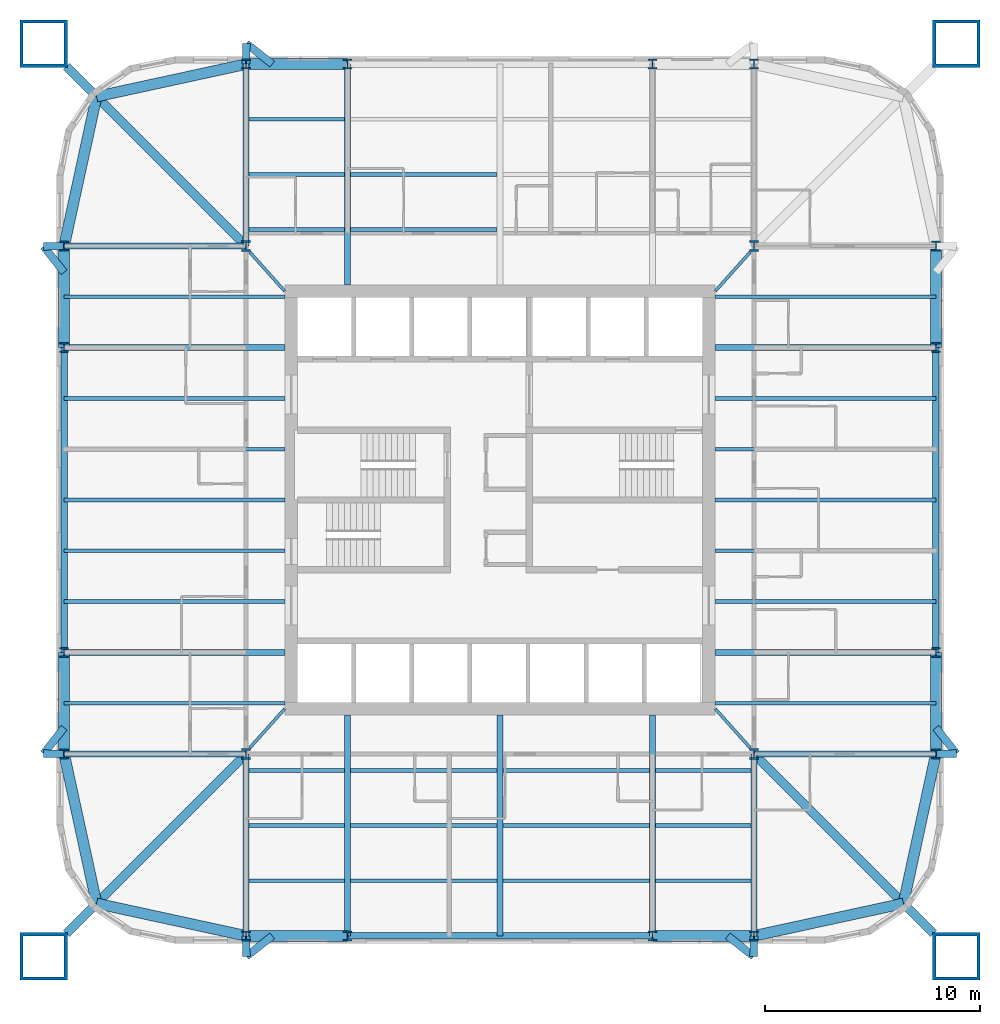
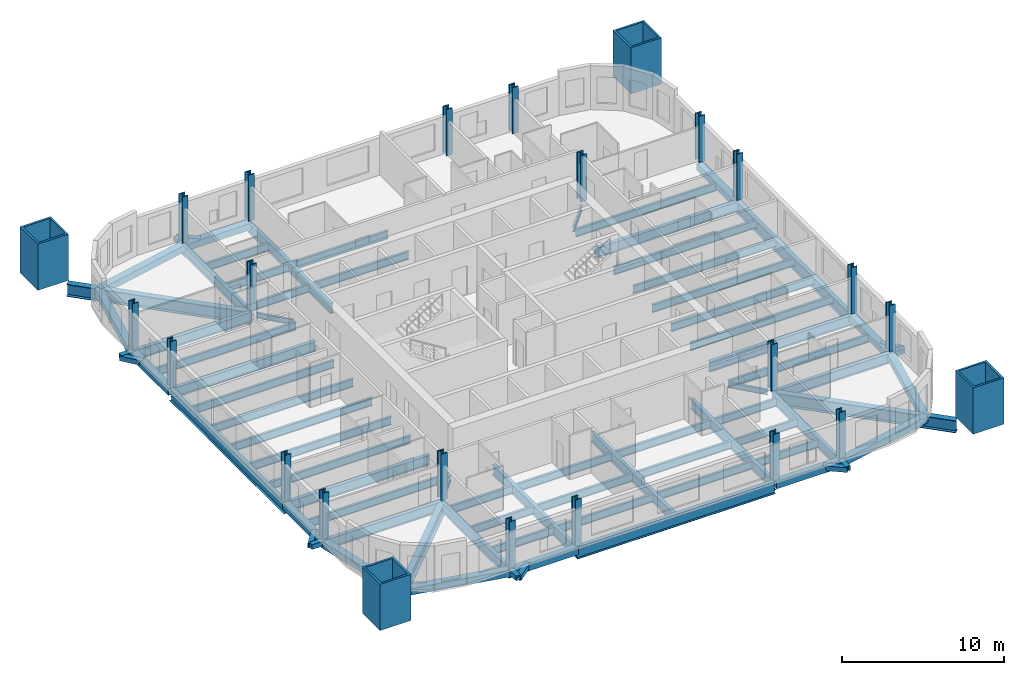
# One storey, part 1 of 9: 80 beams, 24 columns.
"""IFC4 building model written with IfcOpenShell, lengths in metres."""

from ifc_helpers import new_model, si_unit, direction, frame, origin, origin_2d, place, context, subcontext, project, spatial, hollow_rectangle, i_section, extrude, material, material_profile, profile_set, type_object, element, save


model = new_model("IFC4")

# Units and contexts
model_context = context("Model", 3, precision=1e-05, world=origin(), true_north=direction((0.0, 1.0)))
body_context = subcontext(model_context, "Body", "Model", "MODEL_VIEW")
ifc_project = project(units=[si_unit("LENGTHUNIT", "METRE"), si_unit("AREAUNIT", "SQUARE_METRE"), si_unit("VOLUMEUNIT", "CUBIC_METRE"), si_unit("PLANEANGLEUNIT", "RADIAN"), si_unit("MASSUNIT", "GRAM", prefix="KILO")], contexts=[model_context])

# Site, building, storey
site_placement = place(None, origin())
site = spatial("IfcSite", under=ifc_project, at=site_placement, CompositionType="ELEMENT")
building_placement = place(site_placement, origin())
building = spatial("IfcBuilding", under=site, at=building_placement, Name="Turquesa Mirador Hotel Tower", CompositionType="ELEMENT")
storey_placement = place(building_placement, frame((0.0, 0.0, 107.39990234375)))
storey = spatial("IfcBuildingStorey", under=building, at=storey_placement, Name="L28", CompositionType="ELEMENT", Elevation=107.39990234375)

# Columns
ifc_material_1 = material(Name="Steel ASTM A992 Grade 50", Category="steel")
ifc_material_profile_1 = material_profile(ifc_material_1, i_section(OverallWidth=0.421630859375, OverallDepth=0.46484375, WebThickness=0.044921875, FlangeThickness=0.072509765625, at=origin_2d()), Name="W14X398")
ifc_profile_set_1 = profile_set([ifc_material_profile_1], Name="Steel ASTM A992 Grade 50")
column_type_1 = type_object("IfcColumnType", Name="COLUMN W14X398", PredefinedType="COLUMN", material=ifc_profile_set_1)
for number, where, z_axis, x_axis, name in (
    (1, (34.75, 33.199951171875, 0.0), (0.0, 0.0, 1.0), (1.0, 0.0, 0.0), "COL-L28-P--20.25--11.80"),
    (2, (34.75, 37.919921875, 0.0), (0.0, 0.0, 1.0), (1.0, 0.0, 0.0), "COL-L28-P--20.25--7.08"),
    (3, (34.75, 52.080078125, 0.0), (0.0, 0.0, 1.0), (1.0, 0.0, 0.0), "COL-L28-P--20.25-+7.08"),
    (4, (34.75, 56.800048828125, 0.0), (0.0, 0.0, 1.0), (1.0, 0.0, 0.0), "COL-L28-P--20.25-+11.80"),
    (5, (43.199951171875, 24.75, 0.0), (0.0, 0.0, 1.0), (1.0, 0.0, 0.0), "COL-L28-P--11.80--20.25"),
    (6, (43.199951171875, 65.25, 0.0), (0.0, 0.0, 1.0), (1.0, 0.0, 0.0), "COL-L28-P--11.80-+20.25"),
    (7, (47.919921875, 24.75, 0.0), (0.0, 0.0, 1.0), (1.0, 0.0, 0.0), "COL-L28-P--7.08--20.25"),
    (8, (47.919921875, 65.25, 0.0), (0.0, 0.0, 1.0), (1.0, 0.0, 0.0), "COL-L28-P--7.08-+20.25"),
    (9, (62.080078125, 24.75, 0.0), (0.0, 0.0, 1.0), (1.0, 0.0, 0.0), "COL-L28-P-+7.08--20.25"),
    (10, (62.080078125, 65.25, 0.0), (0.0, 0.0, 1.0), (1.0, 0.0, 0.0), "COL-L28-P-+7.08-+20.25"),
    (11, (66.800048828125, 24.75, 0.0), (0.0, 0.0, 1.0), (1.0, 0.0, 0.0), "COL-L28-P-+11.80--20.25"),
    (12, (66.800048828125, 65.25, 0.0), (0.0, 0.0, 1.0), (1.0, 0.0, 0.0), "COL-L28-P-+11.80-+20.25"),
    (13, (75.25, 33.199951171875, 0.0), (0.0, 0.0, 1.0), (1.0, 0.0, 0.0), "COL-L28-P-+20.25--11.80"),
    (14, (75.25, 37.919921875, 0.0), (0.0, 0.0, 1.0), (1.0, 0.0, 0.0), "COL-L28-P-+20.25--7.08"),
    (15, (75.25, 52.080078125, 0.0), (0.0, 0.0, 1.0), (1.0, 0.0, 0.0), "COL-L28-P-+20.25-+7.08"),
    (16, (75.25, 56.800048828125, 0.0), (0.0, 0.0, 1.0), (1.0, 0.0, 0.0), "COL-L28-P-+20.25-+11.80"),
):
    element("IfcColumn", number, at=place(storey_placement, frame(where, z_axis=z_axis, x_axis=x_axis)), inside=storey, type_object=column_type_1, Name=name, PredefinedType="COLUMN", context=body_context, shape_type="SweptSolid", body=[
        extrude(i_section(OverallWidth=0.421630859375, OverallDepth=0.46484375, WebThickness=0.044921875, FlangeThickness=0.072509765625, at=origin_2d()), origin(), (0.0, 0.0, 1.0), 3.5),
    ])
ifc_material_2 = material(Name="Steel ASTM A992 Grade 50", Category="steel")
ifc_material_profile_2 = material_profile(ifc_material_2, i_section(OverallWidth=0.431884765625, OverallDepth=0.497802734375, WebThickness=0.0556640625, FlangeThickness=0.0888671875, at=origin_2d()), Name="W14X500")
ifc_profile_set_2 = profile_set([ifc_material_profile_2], Name="Steel ASTM A992 Grade 50")
column_type_2 = type_object("IfcColumnType", Name="COLUMN W14X500", PredefinedType="COLUMN", material=ifc_profile_set_2)
for number, where, z_axis, x_axis, name in (
    (17, (43.199951171875, 33.199951171875, 0.0), (0.0, 0.0, 1.0), (1.0, 0.0, 0.0), "COL-L28-K--11.80--11.80"),
    (18, (43.199951171875, 56.800048828125, 0.0), (0.0, 0.0, 1.0), (1.0, 0.0, 0.0), "COL-L28-K--11.80-+11.80"),
    (19, (66.800048828125, 33.199951171875, 0.0), (0.0, 0.0, 1.0), (1.0, 0.0, 0.0), "COL-L28-K-+11.80--11.80"),
    (20, (66.800048828125, 56.800048828125, 0.0), (0.0, 0.0, 1.0), (1.0, 0.0, 0.0), "COL-L28-K-+11.80-+11.80"),
):
    element("IfcColumn", number, at=place(storey_placement, frame(where, z_axis=z_axis, x_axis=x_axis)), inside=storey, type_object=column_type_2, Name=name, PredefinedType="COLUMN", context=body_context, shape_type="SweptSolid", body=[
        extrude(i_section(OverallWidth=0.431884765625, OverallDepth=0.497802734375, WebThickness=0.0556640625, FlangeThickness=0.0888671875, at=origin_2d()), origin(), (0.0, 0.0, 1.0), 3.5),
    ])
ifc_material_3 = material(Name="Steel ASTM A514 Grade Q", Category="steel")
ifc_material_profile_3 = material_profile(ifc_material_3, hollow_rectangle(XDim=2.199951171875, YDim=2.199951171875, WallThickness=0.14990234375, at=origin_2d()), Name="BOX2200X2200X150")
ifc_profile_set_3 = profile_set([ifc_material_profile_3], Name="Steel ASTM A514 Grade Q")
column_type_3 = type_object("IfcColumnType", Name="MEGA COLUMN BOX2200X2200X150", PredefinedType="COLUMN", material=ifc_profile_set_3)
for number, where, z_axis, x_axis, name in (
    (21, (76.199951171875, 66.199951171875, 0.0), (0.0, 0.0, 1.0), (1.0, 0.0, 0.0), "Mega column M1"),
    (22, (33.800048828125, 66.199951171875, 0.0), (0.0, 0.0, 1.0), (1.0, 0.0, 0.0), "Mega column M2"),
    (23, (33.800048828125, 23.800048828125, 0.0), (0.0, 0.0, 1.0), (1.0, 0.0, 0.0), "Mega column M3"),
    (24, (76.199951171875, 23.800048828125, 0.0), (0.0, 0.0, 1.0), (1.0, 0.0, 0.0), "Mega column M4"),
):
    element("IfcColumn", number, at=place(storey_placement, frame(where, z_axis=z_axis, x_axis=x_axis)), inside=storey, type_object=column_type_3, Name=name, PredefinedType="COLUMN", context=body_context, shape_type="SweptSolid", body=[
        extrude(hollow_rectangle(XDim=2.199951171875, YDim=2.199951171875, WallThickness=0.14990234375, at=origin_2d()), origin(), (0.0, 0.0, 1.0), 3.5),
    ])

# Beams
ifc_material_4 = material(Name="Steel ASTM A572 Grade 50", Category="steel")
ifc_material_profile_4 = material_profile(ifc_material_4, hollow_rectangle(XDim=0.5, YDim=0.5, WallThickness=0.01611328125, at=origin_2d()), Name="BOX500X500X16")
ifc_profile_set_4 = profile_set([ifc_material_profile_4], Name="Steel ASTM A572 Grade 50")
beam_type_1 = type_object("IfcBeamType", Name="BEAM BOX500X500X16", PredefinedType="BEAM", material=ifc_profile_set_4)
for number, where, z_axis, x_axis, name in (
    (25, (43.199951171875, 65.25, -0.419921875), (1.0, 0.0, 0.0), (0.0, 1.0, 0.0), "EB-L28-N-L"),
    (26, (43.199951171875, 24.75, -0.419921875), (1.0, 0.0, 0.0), (0.0, 1.0, 0.0), "EB-L28-S-L"),
    (27, (62.080078125, 24.75, -0.419921875), (1.0, 0.0, 0.0), (0.0, 1.0, 0.0), "EB-L28-S-R"),
    (28, (75.25, 33.199951171875, -0.419921875), (0.0, 1.0, 0.0), (-1.0, 0.0, 0.0), "EB-L28-E-L"),
    (29, (75.25, 52.080078125, -0.419921875), (0.0, 1.0, 0.0), (-1.0, 0.0, 0.0), "EB-L28-E-R"),
    (30, (34.75, 33.199951171875, -0.419921875), (0.0, 1.0, 0.0), (-1.0, 0.0, 0.0), "EB-L28-W-L"),
    (31, (34.75, 52.080078125, -0.419921875), (0.0, 1.0, 0.0), (-1.0, 0.0, 0.0), "EB-L28-W-R"),
):
    element("IfcBeam", number, at=place(storey_placement, frame(where, z_axis=z_axis, x_axis=x_axis)), inside=storey, type_object=beam_type_1, Name=name, PredefinedType="BEAM", context=body_context, shape_type="SweptSolid", body=[
        extrude(hollow_rectangle(XDim=0.5, YDim=0.5, WallThickness=0.01611328125, at=origin_2d()), origin(), (0.0, 0.0, 1.0), 4.719970703125),
    ])
for number, where, z_axis, x_axis, name in (
    (32, (34.75, 56.800048828125, -0.419921875), (0.212328336885, 0.977198381781, 0.0), (-0.977198381781, 0.212328336885, 0.0), "KE-L28-2-0"),
    (33, (36.25830078125, 63.74169921875, -0.419921875), (0.977198381781, 0.212328336885, 0.0), (-0.212328336885, 0.977198381781, 0.0), "KE-L28-2-1"),
    (34, (34.75, 33.199951171875, -0.419921875), (0.212328336885, -0.977198381781, 0.0), (0.977198381781, 0.212328336885, 0.0), "KE-L28-3-0"),
    (35, (36.25830078125, 26.25830078125, -0.419921875), (0.977198381781, -0.212328336885, 0.0), (0.212328336885, 0.977198381781, 0.0), "KE-L28-3-1"),
    (36, (75.25, 33.199951171875, -0.419921875), (-0.212328336885, -0.977198381781, 0.0), (0.977198381781, -0.212328336885, 0.0), "KE-L28-4-0"),
    (37, (73.74169921875, 26.25830078125, -0.419921875), (-0.977198381781, -0.212328336885, 0.0), (0.212328336885, -0.977198381781, 0.0), "KE-L28-4-1"),
):
    element("IfcBeam", number, at=place(storey_placement, frame(where, z_axis=z_axis, x_axis=x_axis)), inside=storey, type_object=beam_type_1, Name=name, PredefinedType="BEAM", context=body_context, shape_type="SweptSolid", body=[
        extrude(hollow_rectangle(XDim=0.5, YDim=0.5, WallThickness=0.01611328125, at=origin_2d()), origin(), (0.0, 0.0, 1.0), 7.103515625),
    ])
ifc_material_5 = material(Name="Steel ASTM A992 Grade 50", Category="steel")
ifc_material_profile_5 = material_profile(ifc_material_5, i_section(OverallWidth=0.140380859375, OverallDepth=0.40380859375, WebThickness=0.007080078125, FlangeThickness=0.01123046875, at=origin_2d()), Name="W16X31")
ifc_profile_set_5 = profile_set([ifc_material_profile_5], Name="Steel ASTM A992 Grade 50")
beam_type_2 = type_object("IfcBeamType", Name="BEAM W16X31", PredefinedType="BEAM", material=ifc_profile_set_5)
for number, where, z_axis, x_axis, name in (
    (38, (66.626953125, 56.518310546875, -0.371826171875), (-0.66679485947, -0.745241313525, 0.0), (0.745241313525, -0.66679485947, 0.0), "KT-L28-1"),
    (39, (43.373046875, 56.518310546875, -0.371826171875), (0.66679485947, -0.745241313525, 0.0), (0.745241313525, 0.66679485947, 0.0), "KT-L28-2"),
    (40, (43.373046875, 33.481689453125, -0.371826171875), (0.66679485947, 0.745241313525, 0.0), (-0.745241313525, 0.66679485947, 0.0), "KT-L28-3"),
    (41, (66.626953125, 33.481689453125, -0.371826171875), (-0.66679485947, 0.745241313525, 0.0), (-0.745241313525, -0.66679485947, 0.0), "KT-L28-4"),
):
    element("IfcBeam", number, at=place(storey_placement, frame(where, z_axis=z_axis, x_axis=x_axis)), inside=storey, type_object=beam_type_2, Name=name, PredefinedType="BEAM", context=body_context, shape_type="SweptSolid", body=[
        extrude(i_section(OverallWidth=0.140380859375, OverallDepth=0.40380859375, WebThickness=0.007080078125, FlangeThickness=0.01123046875, at=origin_2d()), origin(), (0.0, 0.0, 1.0), 2.43994140625),
    ])
ifc_material_6 = material(Name="Steel ASTM A992 Grade 50", Category="steel")
ifc_material_profile_6 = material_profile(ifc_material_6, i_section(OverallWidth=0.177978515625, OverallDepth=0.599365234375, WebThickness=0.010009765625, FlangeThickness=0.012939453125, at=origin_2d()), Name="W24X55")
ifc_profile_set_6 = profile_set([ifc_material_profile_6], Name="Steel ASTM A992 Grade 50")
beam_type_3 = type_object("IfcBeamType", Name="BEAM W24X55", PredefinedType="BEAM", material=ifc_profile_set_6)
beam_1_placement = place(storey_placement, frame((43.333251953125, 57.56201171875, -0.4697265625), z_axis=(1.0, 0.0, 0.0), x_axis=(0.0, 1.0, 0.0)))
element("IfcBeam", 42, at=beam_1_placement, inside=storey, type_object=beam_type_3, Name="IB-L28-N-1-0", PredefinedType="BEAM", context=body_context, shape_type="SweptSolid", body=[
    extrude(i_section(OverallWidth=0.177978515625, OverallDepth=0.599365234375, WebThickness=0.010009765625, FlangeThickness=0.012939453125, at=origin_2d()), origin(), (0.0, 0.0, 1.0), 4.453369140625),
])
beam_2_placement = place(storey_placement, frame((48.053466796875, 57.56201171875, -0.4697265625), z_axis=(1.0, 0.0, 0.0), x_axis=(0.0, 1.0, 0.0)))
element("IfcBeam", 43, at=beam_2_placement, inside=storey, type_object=beam_type_3, Name="IB-L28-N-1-1", PredefinedType="BEAM", context=body_context, shape_type="SweptSolid", body=[
    extrude(i_section(OverallWidth=0.177978515625, OverallDepth=0.599365234375, WebThickness=0.010009765625, FlangeThickness=0.012939453125, at=origin_2d()), origin(), (0.0, 0.0, 1.0), 6.813232421875),
])
beam_3_placement = place(storey_placement, frame((43.333251953125, 60.125, -0.4697265625), z_axis=(1.0, 0.0, 0.0), x_axis=(0.0, 1.0, 0.0)))
element("IfcBeam", 44, at=beam_3_placement, inside=storey, type_object=beam_type_3, Name="IB-L28-N-2-0", PredefinedType="BEAM", context=body_context, shape_type="SweptSolid", body=[
    extrude(i_section(OverallWidth=0.177978515625, OverallDepth=0.599365234375, WebThickness=0.010009765625, FlangeThickness=0.012939453125, at=origin_2d()), origin(), (0.0, 0.0, 1.0), 4.453369140625),
])
beam_4_placement = place(storey_placement, frame((48.053466796875, 60.125, -0.4697265625), z_axis=(1.0, 0.0, 0.0), x_axis=(0.0, 1.0, 0.0)))
element("IfcBeam", 45, at=beam_4_placement, inside=storey, type_object=beam_type_3, Name="IB-L28-N-2-1", PredefinedType="BEAM", context=body_context, shape_type="SweptSolid", body=[
    extrude(i_section(OverallWidth=0.177978515625, OverallDepth=0.599365234375, WebThickness=0.010009765625, FlangeThickness=0.012939453125, at=origin_2d()), origin(), (0.0, 0.0, 1.0), 6.813232421875),
])
for number, where, z_axis, x_axis, name in (
    (46, (43.333251953125, 62.68798828125, -0.4697265625), (1.0, 0.0, 0.0), (0.0, 1.0, 0.0), "IB-L28-N-3-0"),
    (47, (43.333251953125, 32.43798828125, -0.4697265625), (1.0, 0.0, 0.0), (0.0, 1.0, 0.0), "IB-L28-S-1-0"),
):
    element("IfcBeam", number, at=place(storey_placement, frame(where, z_axis=z_axis, x_axis=x_axis)), inside=storey, type_object=beam_type_3, Name=name, PredefinedType="BEAM", context=body_context, shape_type="SweptSolid", body=[
        extrude(i_section(OverallWidth=0.177978515625, OverallDepth=0.599365234375, WebThickness=0.010009765625, FlangeThickness=0.012939453125, at=origin_2d()), origin(), (0.0, 0.0, 1.0), 4.453369140625),
    ])
for number, where, z_axis, x_axis, name in (
    (48, (48.053466796875, 32.43798828125, -0.4697265625), (1.0, 0.0, 0.0), (0.0, 1.0, 0.0), "IB-L28-S-1-1"),
    (49, (55.13330078125, 32.43798828125, -0.4697265625), (1.0, 0.0, 0.0), (0.0, 1.0, 0.0), "IB-L28-S-1-2"),
):
    element("IfcBeam", number, at=place(storey_placement, frame(where, z_axis=z_axis, x_axis=x_axis)), inside=storey, type_object=beam_type_3, Name=name, PredefinedType="BEAM", context=body_context, shape_type="SweptSolid", body=[
        extrude(i_section(OverallWidth=0.177978515625, OverallDepth=0.599365234375, WebThickness=0.010009765625, FlangeThickness=0.012939453125, at=origin_2d()), origin(), (0.0, 0.0, 1.0), 6.813232421875),
    ])
for number, where, z_axis, x_axis, name in (
    (50, (62.21337890625, 32.43798828125, -0.4697265625), (1.0, 0.0, 0.0), (0.0, 1.0, 0.0), "IB-L28-S-1-3"),
    (51, (43.333251953125, 29.875, -0.4697265625), (1.0, 0.0, 0.0), (0.0, 1.0, 0.0), "IB-L28-S-2-0"),
):
    element("IfcBeam", number, at=place(storey_placement, frame(where, z_axis=z_axis, x_axis=x_axis)), inside=storey, type_object=beam_type_3, Name=name, PredefinedType="BEAM", context=body_context, shape_type="SweptSolid", body=[
        extrude(i_section(OverallWidth=0.177978515625, OverallDepth=0.599365234375, WebThickness=0.010009765625, FlangeThickness=0.012939453125, at=origin_2d()), origin(), (0.0, 0.0, 1.0), 4.453369140625),
    ])
for number, where, z_axis, x_axis, name in (
    (52, (48.053466796875, 29.875, -0.4697265625), (1.0, 0.0, 0.0), (0.0, 1.0, 0.0), "IB-L28-S-2-1"),
    (53, (55.13330078125, 29.875, -0.4697265625), (1.0, 0.0, 0.0), (0.0, 1.0, 0.0), "IB-L28-S-2-2"),
):
    element("IfcBeam", number, at=place(storey_placement, frame(where, z_axis=z_axis, x_axis=x_axis)), inside=storey, type_object=beam_type_3, Name=name, PredefinedType="BEAM", context=body_context, shape_type="SweptSolid", body=[
        extrude(i_section(OverallWidth=0.177978515625, OverallDepth=0.599365234375, WebThickness=0.010009765625, FlangeThickness=0.012939453125, at=origin_2d()), origin(), (0.0, 0.0, 1.0), 6.813232421875),
    ])
for number, where, z_axis, x_axis, name in (
    (54, (62.21337890625, 29.875, -0.4697265625), (1.0, 0.0, 0.0), (0.0, 1.0, 0.0), "IB-L28-S-2-3"),
    (55, (43.333251953125, 27.31201171875, -0.4697265625), (1.0, 0.0, 0.0), (0.0, 1.0, 0.0), "IB-L28-S-3-0"),
):
    element("IfcBeam", number, at=place(storey_placement, frame(where, z_axis=z_axis, x_axis=x_axis)), inside=storey, type_object=beam_type_3, Name=name, PredefinedType="BEAM", context=body_context, shape_type="SweptSolid", body=[
        extrude(i_section(OverallWidth=0.177978515625, OverallDepth=0.599365234375, WebThickness=0.010009765625, FlangeThickness=0.012939453125, at=origin_2d()), origin(), (0.0, 0.0, 1.0), 4.453369140625),
    ])
for number, where, z_axis, x_axis, name in (
    (56, (48.053466796875, 27.31201171875, -0.4697265625), (1.0, 0.0, 0.0), (0.0, 1.0, 0.0), "IB-L28-S-3-1"),
    (57, (55.13330078125, 27.31201171875, -0.4697265625), (1.0, 0.0, 0.0), (0.0, 1.0, 0.0), "IB-L28-S-3-2"),
):
    element("IfcBeam", number, at=place(storey_placement, frame(where, z_axis=z_axis, x_axis=x_axis)), inside=storey, type_object=beam_type_3, Name=name, PredefinedType="BEAM", context=body_context, shape_type="SweptSolid", body=[
        extrude(i_section(OverallWidth=0.177978515625, OverallDepth=0.599365234375, WebThickness=0.010009765625, FlangeThickness=0.012939453125, at=origin_2d()), origin(), (0.0, 0.0, 1.0), 6.813232421875),
    ])
beam_5_placement = place(storey_placement, frame((62.21337890625, 27.31201171875, -0.4697265625), z_axis=(1.0, 0.0, 0.0), x_axis=(0.0, 1.0, 0.0)))
element("IfcBeam", 58, at=beam_5_placement, inside=storey, type_object=beam_type_3, Name="IB-L28-S-3-3", PredefinedType="BEAM", context=body_context, shape_type="SweptSolid", body=[
    extrude(i_section(OverallWidth=0.177978515625, OverallDepth=0.599365234375, WebThickness=0.010009765625, FlangeThickness=0.012939453125, at=origin_2d()), origin(), (0.0, 0.0, 1.0), 4.453369140625),
])
for number, where, z_axis, x_axis, name in (
    (59, (75.25, 35.56005859375, -0.4697265625), (-1.0, 0.0, 0.0), (0.0, -1.0, 0.0), "BM-L28-E--9.44"),
    (60, (75.25, 40.280029296875, -0.4697265625), (-1.0, 0.0, 0.0), (0.0, -1.0, 0.0), "BM-L28-E--4.72"),
    (61, (75.25, 42.639892578125, -0.4697265625), (-1.0, 0.0, 0.0), (0.0, -1.0, 0.0), "BM-L28-E--2.36"),
    (62, (75.25, 45.0, -0.4697265625), (-1.0, 0.0, 0.0), (0.0, -1.0, 0.0), "BM-L28-E-+0.00"),
    (63, (75.25, 47.360107421875, -0.4697265625), (-1.0, 0.0, 0.0), (0.0, -1.0, 0.0), "BM-L28-E-+2.36"),
    (64, (75.25, 49.719970703125, -0.4697265625), (-1.0, 0.0, 0.0), (0.0, -1.0, 0.0), "BM-L28-E-+4.72"),
    (65, (75.25, 54.43994140625, -0.4697265625), (-1.0, 0.0, 0.0), (0.0, -1.0, 0.0), "BM-L28-E-+9.44"),
    (66, (34.75, 35.56005859375, -0.4697265625), (1.0, 0.0, 0.0), (0.0, 1.0, 0.0), "BM-L28-W--9.44"),
    (67, (34.75, 40.280029296875, -0.4697265625), (1.0, 0.0, 0.0), (0.0, 1.0, 0.0), "BM-L28-W--4.72"),
    (68, (34.75, 42.639892578125, -0.4697265625), (1.0, 0.0, 0.0), (0.0, 1.0, 0.0), "BM-L28-W--2.36"),
    (69, (34.75, 45.0, -0.4697265625), (1.0, 0.0, 0.0), (0.0, 1.0, 0.0), "BM-L28-W-+0.00"),
    (70, (34.75, 47.360107421875, -0.4697265625), (1.0, 0.0, 0.0), (0.0, 1.0, 0.0), "BM-L28-W-+2.36"),
    (71, (34.75, 49.719970703125, -0.4697265625), (1.0, 0.0, 0.0), (0.0, 1.0, 0.0), "BM-L28-W-+4.72"),
    (72, (34.75, 54.43994140625, -0.4697265625), (1.0, 0.0, 0.0), (0.0, 1.0, 0.0), "BM-L28-W-+9.44"),
):
    element("IfcBeam", number, at=place(storey_placement, frame(where, z_axis=z_axis, x_axis=x_axis)), inside=storey, type_object=beam_type_3, Name=name, PredefinedType="BEAM", context=body_context, shape_type="SweptSolid", body=[
        extrude(i_section(OverallWidth=0.177978515625, OverallDepth=0.599365234375, WebThickness=0.010009765625, FlangeThickness=0.012939453125, at=origin_2d()), origin(), (0.0, 0.0, 1.0), 10.25),
    ])
ifc_material_7 = material(Name="Steel ASTM A992 Grade 50", Category="steel")
ifc_material_profile_7 = material_profile(ifc_material_7, i_section(OverallWidth=0.2666015625, OverallDepth=0.7568359375, WebThickness=0.013916015625, FlangeThickness=0.019287109375, at=origin_2d()), Name="W30X108")
ifc_profile_set_7 = profile_set([ifc_material_profile_7], Name="Steel ASTM A992 Grade 50")
beam_type_4 = type_object("IfcBeamType", Name="BEAM W30X108", PredefinedType="BEAM", material=ifc_profile_set_7)
beam_6_placement = place(storey_placement, frame((47.919921875, 65.25, -0.54833984375), z_axis=(0.0, -1.0, 0.0), x_axis=(1.0, 0.0, 0.0)))
element("IfcBeam", 73, at=beam_6_placement, inside=storey, type_object=beam_type_4, Name="GD-L28-N--7.08", PredefinedType="BEAM", context=body_context, shape_type="SweptSolid", body=[
    extrude(i_section(OverallWidth=0.2666015625, OverallDepth=0.7568359375, WebThickness=0.013916015625, FlangeThickness=0.019287109375, at=origin_2d()), origin(), (0.0, 0.0, 1.0), 10.25),
])
beam_7_placement = place(storey_placement, frame((43.199951171875, 65.25, -0.54833984375), z_axis=(0.0, -1.0, 0.0), x_axis=(1.0, 0.0, 0.0)))
element("IfcBeam", 74, at=beam_7_placement, inside=storey, type_object=beam_type_4, Name="GK-L28-N--11.80", PredefinedType="BEAM", context=body_context, shape_type="SweptSolid", body=[
    extrude(i_section(OverallWidth=0.2666015625, OverallDepth=0.7568359375, WebThickness=0.013916015625, FlangeThickness=0.019287109375, at=origin_2d()), origin(), (0.0, 0.0, 1.0), 8.449951171875),
])
for number, where, z_axis, x_axis, name in (
    (75, (47.919921875, 24.75, -0.54833984375), (0.0, 1.0, 0.0), (-1.0, 0.0, 0.0), "GD-L28-S--7.08"),
    (76, (62.080078125, 24.75, -0.54833984375), (0.0, 1.0, 0.0), (-1.0, 0.0, 0.0), "GD-L28-S-+7.08"),
    (77, (55.0, 24.75, -0.54833984375), (0.0, 1.0, 0.0), (-1.0, 0.0, 0.0), "GD-L28-S-+0.00"),
):
    element("IfcBeam", number, at=place(storey_placement, frame(where, z_axis=z_axis, x_axis=x_axis)), inside=storey, type_object=beam_type_4, Name=name, PredefinedType="BEAM", context=body_context, shape_type="SweptSolid", body=[
        extrude(i_section(OverallWidth=0.2666015625, OverallDepth=0.7568359375, WebThickness=0.013916015625, FlangeThickness=0.019287109375, at=origin_2d()), origin(), (0.0, 0.0, 1.0), 10.25),
    ])
for number, where, z_axis, x_axis, name in (
    (78, (43.199951171875, 24.75, -0.54833984375), (0.0, 1.0, 0.0), (-1.0, 0.0, 0.0), "GK-L28-S--11.80"),
    (79, (66.800048828125, 24.75, -0.54833984375), (0.0, 1.0, 0.0), (-1.0, 0.0, 0.0), "GK-L28-S-+11.80"),
):
    element("IfcBeam", number, at=place(storey_placement, frame(where, z_axis=z_axis, x_axis=x_axis)), inside=storey, type_object=beam_type_4, Name=name, PredefinedType="BEAM", context=body_context, shape_type="SweptSolid", body=[
        extrude(i_section(OverallWidth=0.2666015625, OverallDepth=0.7568359375, WebThickness=0.013916015625, FlangeThickness=0.019287109375, at=origin_2d()), origin(), (0.0, 0.0, 1.0), 8.449951171875),
    ])
for number, where, z_axis, x_axis, name in (
    (80, (75.25, 37.919921875, -0.54833984375), (-1.0, 0.0, 0.0), (0.0, -1.0, 0.0), "GD-L28-E--7.08"),
    (81, (75.25, 52.080078125, -0.54833984375), (-1.0, 0.0, 0.0), (0.0, -1.0, 0.0), "GD-L28-E-+7.08"),
):
    element("IfcBeam", number, at=place(storey_placement, frame(where, z_axis=z_axis, x_axis=x_axis)), inside=storey, type_object=beam_type_4, Name=name, PredefinedType="BEAM", context=body_context, shape_type="SweptSolid", body=[
        extrude(i_section(OverallWidth=0.2666015625, OverallDepth=0.7568359375, WebThickness=0.013916015625, FlangeThickness=0.019287109375, at=origin_2d()), origin(), (0.0, 0.0, 1.0), 10.25),
    ])
beam_8_placement = place(storey_placement, frame((75.25, 33.199951171875, -0.54833984375), z_axis=(-1.0, 0.0, 0.0), x_axis=(0.0, -1.0, 0.0)))
element("IfcBeam", 82, at=beam_8_placement, inside=storey, type_object=beam_type_4, Name="GK-L28-E--11.80", PredefinedType="BEAM", context=body_context, shape_type="SweptSolid", body=[
    extrude(i_section(OverallWidth=0.2666015625, OverallDepth=0.7568359375, WebThickness=0.013916015625, FlangeThickness=0.019287109375, at=origin_2d()), origin(), (0.0, 0.0, 1.0), 8.449951171875),
])
for number, where, z_axis, x_axis, name in (
    (83, (34.75, 37.919921875, -0.54833984375), (1.0, 0.0, 0.0), (0.0, 1.0, 0.0), "GD-L28-W--7.08"),
    (84, (34.75, 52.080078125, -0.54833984375), (1.0, 0.0, 0.0), (0.0, 1.0, 0.0), "GD-L28-W-+7.08"),
):
    element("IfcBeam", number, at=place(storey_placement, frame(where, z_axis=z_axis, x_axis=x_axis)), inside=storey, type_object=beam_type_4, Name=name, PredefinedType="BEAM", context=body_context, shape_type="SweptSolid", body=[
        extrude(i_section(OverallWidth=0.2666015625, OverallDepth=0.7568359375, WebThickness=0.013916015625, FlangeThickness=0.019287109375, at=origin_2d()), origin(), (0.0, 0.0, 1.0), 10.25),
    ])
for number, where, z_axis, x_axis, name in (
    (85, (34.75, 33.199951171875, -0.54833984375), (1.0, 0.0, 0.0), (0.0, 1.0, 0.0), "GK-L28-W--11.80"),
    (86, (34.75, 56.800048828125, -0.54833984375), (1.0, 0.0, 0.0), (0.0, 1.0, 0.0), "GK-L28-W-+11.80"),
):
    element("IfcBeam", number, at=place(storey_placement, frame(where, z_axis=z_axis, x_axis=x_axis)), inside=storey, type_object=beam_type_4, Name=name, PredefinedType="BEAM", context=body_context, shape_type="SweptSolid", body=[
        extrude(i_section(OverallWidth=0.2666015625, OverallDepth=0.7568359375, WebThickness=0.013916015625, FlangeThickness=0.019287109375, at=origin_2d()), origin(), (0.0, 0.0, 1.0), 8.449951171875),
    ])
ifc_material_8 = material(Name="Steel ASTM A992 Grade 50", Category="steel")
ifc_material_profile_8 = material_profile(ifc_material_8, i_section(OverallWidth=0.3046875, OverallDepth=0.911865234375, WebThickness=0.015869140625, FlangeThickness=0.02392578125, at=origin_2d()), Name="W36X150")
ifc_profile_set_8 = profile_set([ifc_material_profile_8], Name="Steel ASTM A992 Grade 50")
beam_type_5 = type_object("IfcBeamType", Name="BEAM W36X150", PredefinedType="BEAM", material=ifc_profile_set_8)
for number, where, z_axis, x_axis, name in (
    (87, (47.919921875, 24.75, -0.625732421875), (1.0, 0.0, 0.0), (0.0, 1.0, 0.0), "EB-L28-S-C"),
    (88, (75.25, 37.919921875, -0.625732421875), (0.0, 1.0, 0.0), (-1.0, 0.0, 0.0), "EB-L28-E-C"),
    (89, (34.75, 37.919921875, -0.625732421875), (0.0, 1.0, 0.0), (-1.0, 0.0, 0.0), "EB-L28-W-C"),
):
    element("IfcBeam", number, at=place(storey_placement, frame(where, z_axis=z_axis, x_axis=x_axis)), inside=storey, type_object=beam_type_5, Name=name, PredefinedType="BEAM", context=body_context, shape_type="SweptSolid", body=[
        extrude(i_section(OverallWidth=0.3046875, OverallDepth=0.911865234375, WebThickness=0.015869140625, FlangeThickness=0.02392578125, at=origin_2d()), origin(), (0.0, 0.0, 1.0), 14.16015625),
    ])
ifc_material_9 = material(Name="Steel ASTM A992 Grade 50", Category="steel")
ifc_material_profile_9 = material_profile(ifc_material_9, i_section(OverallWidth=0.419189453125, OverallDepth=0.927001953125, WebThickness=0.019287109375, FlangeThickness=0.031982421875, at=origin_2d()), Name="W36X231")
ifc_profile_set_9 = profile_set([ifc_material_profile_9], Name="Steel ASTM A992 Grade 50")
beam_type_6 = type_object("IfcBeamType", Name="BEAM W36X231", PredefinedType="BEAM", material=ifc_profile_set_9)
for number, where, z_axis, x_axis, name in (
    (90, (43.199951171875, 56.800048828125, -0.633544921875), (-0.707106781187, 0.707106781187, 0.0), (-0.707106781187, -0.707106781187, 0.0), "KD-L28-2"),
    (91, (43.199951171875, 33.199951171875, -0.633544921875), (-0.707106781187, -0.707106781187, 0.0), (0.707106781187, -0.707106781187, 0.0), "KD-L28-3"),
    (92, (66.800048828125, 33.199951171875, -0.633544921875), (0.707106781187, -0.707106781187, 0.0), (0.707106781187, 0.707106781187, 0.0), "KD-L28-4"),
):
    element("IfcBeam", number, at=place(storey_placement, frame(where, z_axis=z_axis, x_axis=x_axis)), inside=storey, type_object=beam_type_6, Name=name, PredefinedType="BEAM", context=body_context, shape_type="SweptSolid", body=[
        extrude(i_section(OverallWidth=0.419189453125, OverallDepth=0.927001953125, WebThickness=0.019287109375, FlangeThickness=0.031982421875, at=origin_2d()), origin(), (0.0, 0.0, 1.0), 11.80859375),
    ])
ifc_material_10 = material(Name="Steel ASTM A500 Grade C", Category="steel")
ifc_material_profile_10 = material_profile(ifc_material_10, hollow_rectangle(XDim=0.355712890625, YDim=0.355712890625, WallThickness=0.0146484375, at=origin_2d()), Name="HSS14X14X5/8")
ifc_profile_set_10 = profile_set([ifc_material_profile_10], Name="Steel ASTM A500 Grade C")
beam_type_7 = type_object("IfcBeamType", Name="BRACE STRUT HSS14X14X5/8", PredefinedType="BEAM", material=ifc_profile_set_10)
beam_9_placement = place(storey_placement, frame((43.22216796875, 66.199951171875, -0.34765625), z_axis=(-0.023380910628, -0.999726629143, 0.0), x_axis=(0.999726629143, -0.023380910628, 0.0)))
element("IfcBeam", 93, at=beam_9_placement, inside=storey, type_object=beam_type_7, Name="Brace strut", PredefinedType="BEAM", context=body_context, shape_type="SweptSolid", body=[
    extrude(hollow_rectangle(XDim=0.355712890625, YDim=0.355712890625, WallThickness=0.0146484375, at=origin_2d()), origin(), (0.0, 0.0, 1.0), 0.9501953125),
])
beam_10_placement = place(storey_placement, frame((43.22216796875, 66.199951171875, -0.34765625), z_axis=(0.784049059149, -0.620698858423, 0.0), x_axis=(0.620698858423, 0.784049059149, 0.0)))
element("IfcBeam", 94, at=beam_10_placement, inside=storey, type_object=beam_type_7, Name="Brace strut", PredefinedType="BEAM", context=body_context, shape_type="SweptSolid", body=[
    extrude(hollow_rectangle(XDim=0.355712890625, YDim=0.355712890625, WallThickness=0.0146484375, at=origin_2d()), origin(), (0.0, 0.0, 1.0), 1.530517578125),
])
beam_11_placement = place(storey_placement, frame((43.22216796875, 23.800048828125, -0.34765625), z_axis=(-0.023380910628, 0.999726629143, 0.0), x_axis=(-0.999726629143, -0.023380910628, 0.0)))
element("IfcBeam", 95, at=beam_11_placement, inside=storey, type_object=beam_type_7, Name="Brace strut", PredefinedType="BEAM", context=body_context, shape_type="SweptSolid", body=[
    extrude(hollow_rectangle(XDim=0.355712890625, YDim=0.355712890625, WallThickness=0.0146484375, at=origin_2d()), origin(), (0.0, 0.0, 1.0), 0.9501953125),
])
for number, where, z_axis, x_axis, name in (
    (96, (43.22216796875, 23.800048828125, -0.34765625), (0.784049059149, 0.620698858423, 0.0), (-0.620698858423, 0.784049059149, 0.0), "Brace strut"),
    (97, (66.77783203125, 23.800048828125, -0.34765625), (-0.784049059149, 0.620698858423, 0.0), (-0.620698858423, -0.784049059149, 0.0), "Brace strut"),
):
    element("IfcBeam", number, at=place(storey_placement, frame(where, z_axis=z_axis, x_axis=x_axis)), inside=storey, type_object=beam_type_7, Name=name, PredefinedType="BEAM", context=body_context, shape_type="SweptSolid", body=[
        extrude(hollow_rectangle(XDim=0.355712890625, YDim=0.355712890625, WallThickness=0.0146484375, at=origin_2d()), origin(), (0.0, 0.0, 1.0), 1.530517578125),
    ])
for number, where, z_axis, x_axis, name in (
    (98, (66.77783203125, 23.800048828125, -0.34765625), (0.023380910628, 0.999726629143, 0.0), (-0.999726629143, 0.023380910628, 0.0), "Brace strut"),
    (99, (76.199951171875, 33.22216796875, -0.34765625), (-0.999726629143, -0.023380910628, 0.0), (0.023380910628, -0.999726629143, 0.0), "Brace strut"),
):
    element("IfcBeam", number, at=place(storey_placement, frame(where, z_axis=z_axis, x_axis=x_axis)), inside=storey, type_object=beam_type_7, Name=name, PredefinedType="BEAM", context=body_context, shape_type="SweptSolid", body=[
        extrude(hollow_rectangle(XDim=0.355712890625, YDim=0.355712890625, WallThickness=0.0146484375, at=origin_2d()), origin(), (0.0, 0.0, 1.0), 0.9501953125),
    ])
beam_12_placement = place(storey_placement, frame((76.199951171875, 33.22216796875, -0.34765625), z_axis=(-0.620698858423, 0.784049059149, 0.0), x_axis=(-0.784049059149, -0.620698858423, 0.0)))
element("IfcBeam", 100, at=beam_12_placement, inside=storey, type_object=beam_type_7, Name="Brace strut", PredefinedType="BEAM", context=body_context, shape_type="SweptSolid", body=[
    extrude(hollow_rectangle(XDim=0.355712890625, YDim=0.355712890625, WallThickness=0.0146484375, at=origin_2d()), origin(), (0.0, 0.0, 1.0), 1.530517578125),
])
beam_13_placement = place(storey_placement, frame((33.800048828125, 33.22216796875, -0.34765625), z_axis=(0.999726629143, -0.023380910628, 0.0), x_axis=(0.023380910628, 0.999726629143, 0.0)))
element("IfcBeam", 101, at=beam_13_placement, inside=storey, type_object=beam_type_7, Name="Brace strut", PredefinedType="BEAM", context=body_context, shape_type="SweptSolid", body=[
    extrude(hollow_rectangle(XDim=0.355712890625, YDim=0.355712890625, WallThickness=0.0146484375, at=origin_2d()), origin(), (0.0, 0.0, 1.0), 0.9501953125),
])
for number, where, z_axis, x_axis, name in (
    (102, (33.800048828125, 33.22216796875, -0.34765625), (0.620698858423, 0.784049059149, 0.0), (-0.784049059149, 0.620698858423, 0.0), "Brace strut"),
    (103, (33.800048828125, 56.77783203125, -0.34765625), (0.620698858423, -0.784049059149, 0.0), (0.784049059149, 0.620698858423, 0.0), "Brace strut"),
):
    element("IfcBeam", number, at=place(storey_placement, frame(where, z_axis=z_axis, x_axis=x_axis)), inside=storey, type_object=beam_type_7, Name=name, PredefinedType="BEAM", context=body_context, shape_type="SweptSolid", body=[
        extrude(hollow_rectangle(XDim=0.355712890625, YDim=0.355712890625, WallThickness=0.0146484375, at=origin_2d()), origin(), (0.0, 0.0, 1.0), 1.530517578125),
    ])
beam_14_placement = place(storey_placement, frame((33.800048828125, 56.77783203125, -0.34765625), z_axis=(0.999726629143, 0.023380910628, 0.0), x_axis=(-0.023380910628, 0.999726629143, 0.0)))
element("IfcBeam", 104, at=beam_14_placement, inside=storey, type_object=beam_type_7, Name="Brace strut", PredefinedType="BEAM", context=body_context, shape_type="SweptSolid", body=[
    extrude(hollow_rectangle(XDim=0.355712890625, YDim=0.355712890625, WallThickness=0.0146484375, at=origin_2d()), origin(), (0.0, 0.0, 1.0), 0.9501953125),
])

save(model, "model.ifc")
